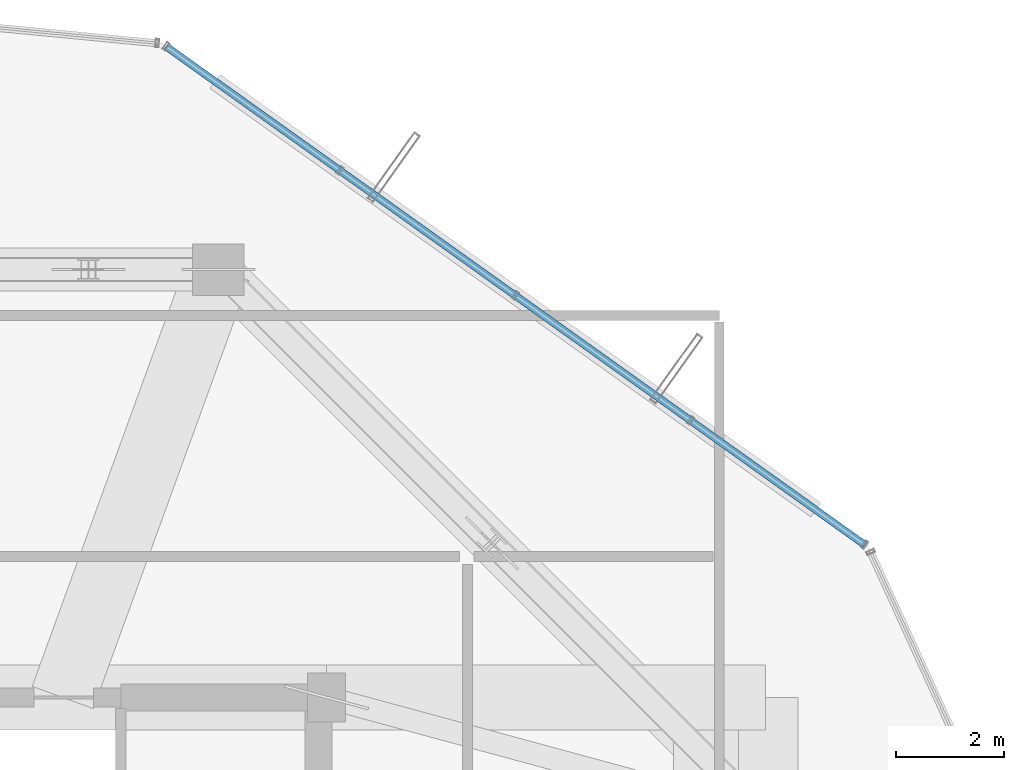
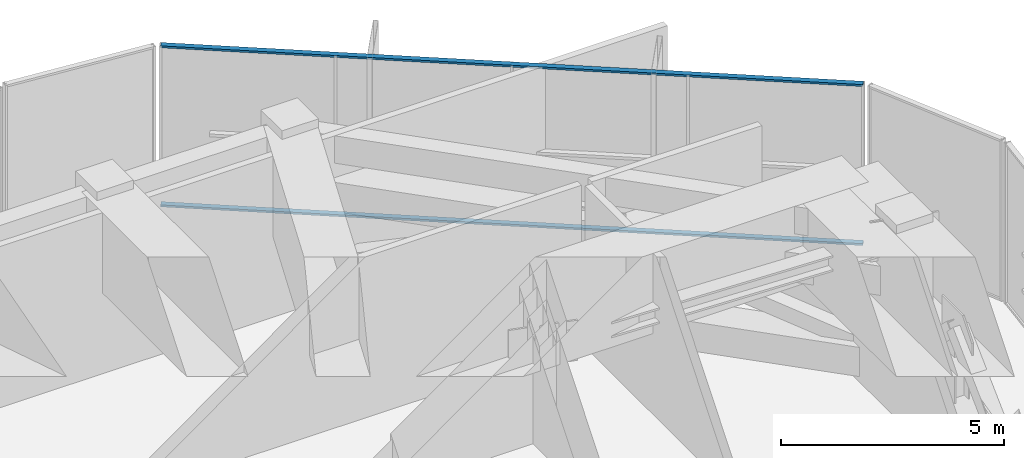
# One storey, part 25 of 31: 2 members, 1 element without a shape of its own.
"""IFC4 building model written with IfcOpenShell, lengths in metres."""

from ifc_helpers import new_model, si_unit, direction, frame, origin, origin_2d, place, context, subcontext, project, spatial, hollow_rectangle, extrude, source, transform, mapped, material, layer, layer_set, material_profile, profile_set, type_object, element, aggregate, save


model = new_model("IFC4")

# Units and contexts
model_context = context("Model", 3, precision=1e-05, world=origin(), true_north=direction((0.0, 1.0)))
body_context = subcontext(model_context, "Body", "Model", "MODEL_VIEW")
ifc_project = project(units=[si_unit("LENGTHUNIT", "METRE"), si_unit("AREAUNIT", "SQUARE_METRE"), si_unit("VOLUMEUNIT", "CUBIC_METRE"), si_unit("PLANEANGLEUNIT", "RADIAN"), si_unit("MASSUNIT", "GRAM", prefix="KILO")], contexts=[model_context])

# Site, building, storey
site_placement = place(None, origin())
site = spatial("IfcSite", under=ifc_project, at=site_placement, CompositionType="ELEMENT")
building_placement = place(site_placement, origin())
building = spatial("IfcBuilding", under=site, at=building_placement, Name="Veraguas Prism Commons", CompositionType="ELEMENT")
storey_placement = place(building_placement, frame((0.0, 0.0, 225.39990234375)))
storey = spatial("IfcBuildingStorey", under=building, at=storey_placement, Name="L64", CompositionType="ELEMENT", Elevation=225.39990234375)

# Curtain wall, members
ifc_material = material(Name="Anodised aluminium EN AW-6063 T6", Category="aluminium")
ifc_layer = layer(ifc_material, 0.14990234375, Name="Unitised Flush Curtain Wall Zone 3", Category="aluminium")
ifc_layer_set = layer_set([ifc_layer], Name="Anodised aluminium EN AW-6063 T6")
curtain_wall_type = type_object("IfcCurtainWallType", Name="Unitised Flush Curtain Wall Zone 3", PredefinedType="NOTDEFINED", material=ifc_layer_set)
curtain_wall_placement = place(storey_placement, origin())
curtain_wall = element("IfcCurtainWall", 1, at=curtain_wall_placement, inside=storey, type_object=curtain_wall_type, Name="Tower Facade Curtain Wall L64-F1", PredefinedType="NOTDEFINED")
ifc_material_profile = material_profile(ifc_material, hollow_rectangle(XDim=0.054931640625, YDim=0.135009765625, WallThickness=0.0029296875, at=origin_2d()), Name="AL55X135X3")
ifc_profile_set = profile_set([ifc_material_profile], Name="Anodised aluminium EN AW-6063 T6")
member_type = type_object("IfcMemberType", Name="Curtain Wall Transom Standard AL 55x135x3", PredefinedType="USERDEFINED", material=ifc_profile_set)
shared_shape = source(origin(), body_context, "Body", "SweptSolid", [
    extrude(hollow_rectangle(XDim=0.054931640625, YDim=0.135009765625, WallThickness=0.0029296875, at=origin_2d()), origin(), (0.0, 0.0, 1.0), 15.8427734375),
])
member_1_placement = place(storey_placement, frame((40.733154296875, 33.818115234375, 0.027587890625), z_axis=(-0.814112309018, 0.58070745501, 0.0), x_axis=(0.0, 0.0, 1.0)))
member_1 = element("IfcMember", 2, at=member_1_placement, type_object=member_type, Name="CW-Z3 Transom 1", ObjectType="TRANSOM", PredefinedType="USERDEFINED", context=body_context, shape_type="MappedRepresentation", body=[
    mapped(shared_shape, transform((0.0, 0.0, 0.0), scale=1.0)),
])
member_2_placement = place(storey_placement, frame((40.733154296875, 33.818115234375, 4.3876953125), z_axis=(-0.814112309018, 0.58070745501, 0.0), x_axis=(0.0, 0.0, 1.0)))
member_2 = element("IfcMember", 3, at=member_2_placement, type_object=member_type, Name="CW-Z3 Transom 2", ObjectType="TRANSOM", PredefinedType="USERDEFINED", context=body_context, shape_type="MappedRepresentation", body=[
    mapped(shared_shape, transform((0.0, 0.0, 0.0), scale=1.0)),
])
aggregate(curtain_wall, [member_1, member_2])

save(model, "model.ifc")
